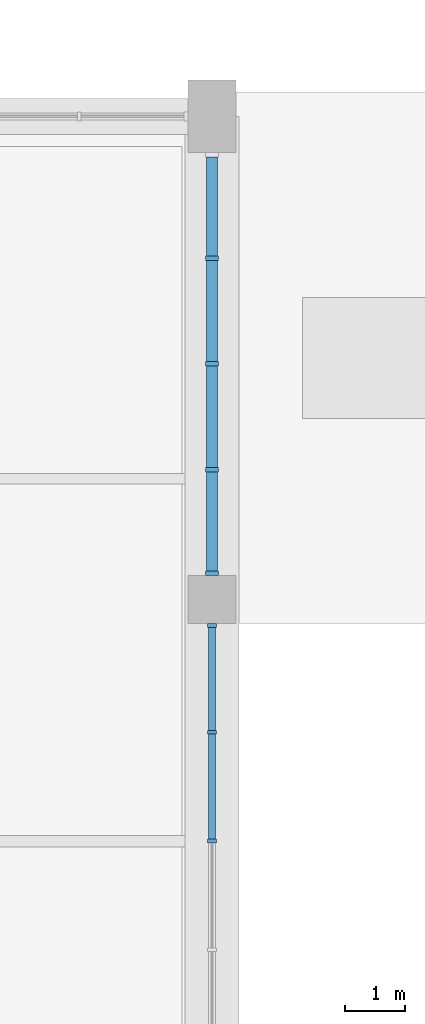
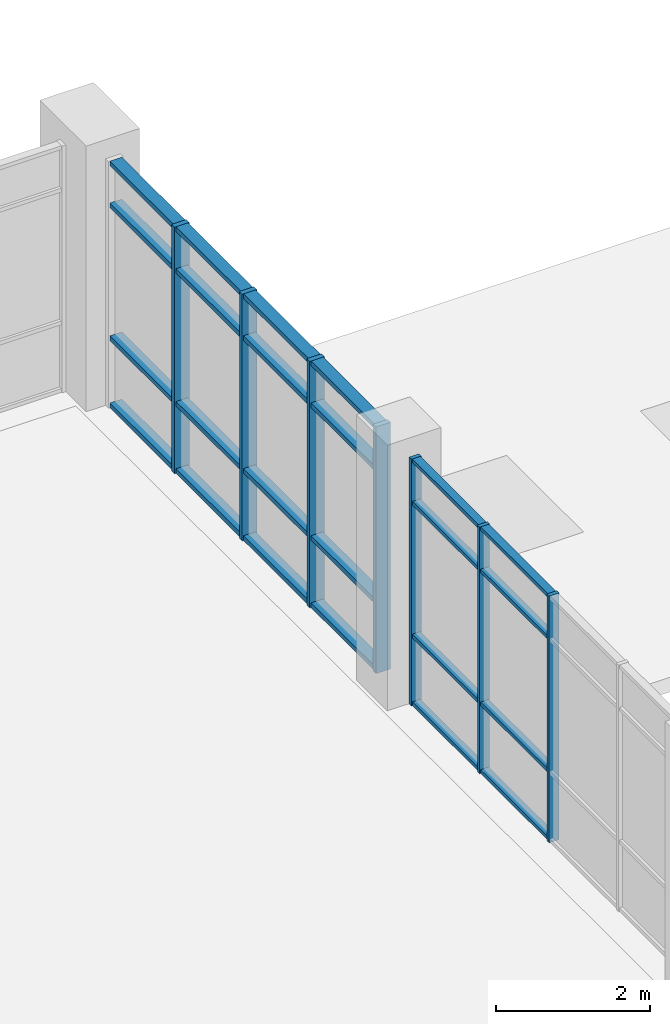
# One storey, part 9 of 84: 31 members, 2 elements without a shape of their own.
"""IFC4 building model written with IfcOpenShell, lengths in metres."""

from ifc_helpers import new_model, si_unit, direction, frame, origin, origin_2d, place, context, subcontext, project, spatial, rectangle, extrude, material, material_profile, profile_set, type_object, element, aggregate, save


model = new_model("IFC4")

# Units and contexts
model_context = context("Model", 3, precision=1e-05, world=origin(), true_north=direction((0.0, 1.0)))
body_context = subcontext(model_context, "Body", "Model", "MODEL_VIEW")
ifc_project = project(units=[si_unit("LENGTHUNIT", "METRE"), si_unit("AREAUNIT", "SQUARE_METRE"), si_unit("VOLUMEUNIT", "CUBIC_METRE"), si_unit("PLANEANGLEUNIT", "RADIAN"), si_unit("MASSUNIT", "GRAM", prefix="KILO")], contexts=[model_context])

# Site, building, storey
site_placement = place(None, origin())
site = spatial("IfcSite", under=ifc_project, at=site_placement, CompositionType="ELEMENT")
building_placement = place(site_placement, origin())
building = spatial("IfcBuilding", under=site, at=building_placement, Name="Tenunan Teduh Sports Hall", CompositionType="ELEMENT")
storey_placement = place(building_placement, frame((0.0, 0.0, 10.800048828125)))
storey = spatial("IfcBuildingStorey", under=building, at=storey_placement, Name="L02", CompositionType="ELEMENT", Elevation=10.800048828125)

# Curtain wall, members
ifc_material_1 = material(Name="Anodised aluminium", Category="aluminium")
curtain_wall_type = type_object("IfcCurtainWallType", Name="CW-UNIT-2", PredefinedType="NOTDEFINED", material=ifc_material_1)
curtain_wall_1_placement = place(storey_placement, origin())
curtain_wall_1 = element("IfcCurtainWall", 1, at=curtain_wall_1_placement, inside=storey, type_object=curtain_wall_type, Name="CW-CWM-150-L02-071", PredefinedType="NOTDEFINED")
ifc_material_2 = material(Name="Anodised aluminium", Category="aluminium")
ifc_material_profile_1 = material_profile(ifc_material_2, rectangle(XDim=0.06005859375, YDim=0.14990234375, at=origin_2d()), Name="CWM 60x150")
ifc_profile_set_1 = profile_set([ifc_material_profile_1], Name="Anodised aluminium")
member_type_1 = type_object("IfcMemberType", Name="CWM-150", PredefinedType="MULLION", material=ifc_profile_set_1)
member_1_placement = place(storey_placement, frame((54.0, 34.0, 0.0), z_axis=(0.0, 0.0, 1.0), x_axis=(0.0, 1.0, 0.0)))
member_1 = element("IfcMember", 2, at=member_1_placement, type_object=member_type_1, Name="CW-02 mullion 3", PredefinedType="MULLION", context=body_context, shape_type="SweptSolid", body=[
    extrude(rectangle(XDim=0.06005859375, YDim=0.14990234375, at=origin_2d()), origin(), (0.0, 0.0, 1.0), 3.89990234375),
])
member_2_placement = place(storey_placement, frame((54.0, 35.800048828125, 0.0), z_axis=(0.0, 0.0, 1.0), x_axis=(0.0, 1.0, 0.0)))
member_2 = element("IfcMember", 3, at=member_2_placement, type_object=member_type_1, Name="CW-02 mullion 4", PredefinedType="MULLION", context=body_context, shape_type="SweptSolid", body=[
    extrude(rectangle(XDim=0.06005859375, YDim=0.14990234375, at=origin_2d()), origin(), (0.0, 0.0, 1.0), 3.89990234375),
])
member_3_placement = place(storey_placement, frame((54.0, 37.570068359375, 0.0), z_axis=(0.0, 0.0, 1.0), x_axis=(0.0, 1.0, 0.0)))
member_3 = element("IfcMember", 4, at=member_3_placement, type_object=member_type_1, Name="CW-02 mullion 5", PredefinedType="MULLION", context=body_context, shape_type="SweptSolid", body=[
    extrude(rectangle(XDim=0.06005859375, YDim=0.14990234375, at=origin_2d()), origin(), (0.0, 0.0, 1.0), 3.89990234375),
])

curtain_wall_2_placement = place(storey_placement, origin())
curtain_wall_2 = element("IfcCurtainWall", 5, at=curtain_wall_2_placement, inside=storey, type_object=curtain_wall_type, Name="CW-CWM-220-L02-073", PredefinedType="NOTDEFINED")
ifc_material_3 = material(Name="Anodised aluminium", Category="aluminium")
ifc_material_profile_2 = material_profile(ifc_material_3, rectangle(XDim=0.074951171875, YDim=0.219970703125, at=origin_2d()), Name="CWM 75x220")
ifc_profile_set_2 = profile_set([ifc_material_profile_2], Name="Anodised aluminium")
member_type_2 = type_object("IfcMemberType", Name="CWM-220", PredefinedType="MULLION", material=ifc_profile_set_2)
member_4_placement = place(storey_placement, frame((54.0, 38.4375, 0.0), z_axis=(0.0, 0.0, 1.0), x_axis=(0.0, 1.0, 0.0)))
member_4 = element("IfcMember", 6, at=member_4_placement, type_object=member_type_2, Name="CW-02 mullion 1", PredefinedType="MULLION", context=body_context, shape_type="SweptSolid", body=[
    extrude(rectangle(XDim=0.074951171875, YDim=0.219970703125, at=origin_2d()), origin(), (0.0, 0.0, 1.0), 3.89990234375),
])
member_5_placement = place(storey_placement, frame((54.0, 40.14990234375, 0.0), z_axis=(0.0, 0.0, 1.0), x_axis=(0.0, 1.0, 0.0)))
member_5 = element("IfcMember", 7, at=member_5_placement, type_object=member_type_2, Name="CW-02 mullion 2", PredefinedType="MULLION", context=body_context, shape_type="SweptSolid", body=[
    extrude(rectangle(XDim=0.074951171875, YDim=0.219970703125, at=origin_2d()), origin(), (0.0, 0.0, 1.0), 3.89990234375),
])
member_6_placement = place(storey_placement, frame((54.0, 41.89990234375, 0.0), z_axis=(0.0, 0.0, 1.0), x_axis=(0.0, 1.0, 0.0)))
member_6 = element("IfcMember", 8, at=member_6_placement, type_object=member_type_2, Name="CW-02 mullion 3", PredefinedType="MULLION", context=body_context, shape_type="SweptSolid", body=[
    extrude(rectangle(XDim=0.074951171875, YDim=0.219970703125, at=origin_2d()), origin(), (0.0, 0.0, 1.0), 3.89990234375),
])
member_7_placement = place(storey_placement, frame((54.0, 43.64990234375, 0.0), z_axis=(0.0, 0.0, 1.0), x_axis=(0.0, 1.0, 0.0)))
member_7 = element("IfcMember", 9, at=member_7_placement, type_object=member_type_2, Name="CW-02 mullion 4", PredefinedType="MULLION", context=body_context, shape_type="SweptSolid", body=[
    extrude(rectangle(XDim=0.074951171875, YDim=0.219970703125, at=origin_2d()), origin(), (0.0, 0.0, 1.0), 3.89990234375),
])

# Member
ifc_material_4 = material(Name="Anodised aluminium", Category="aluminium")
ifc_material_profile_3 = material_profile(ifc_material_4, rectangle(XDim=0.06005859375, YDim=0.1201171875, at=origin_2d()), Name="CWT 60x120")
ifc_profile_set_3 = profile_set([ifc_material_profile_3], Name="Anodised aluminium")
member_type_3 = type_object("IfcMemberType", Name="CWT-125", PredefinedType="USERDEFINED", material=ifc_profile_set_3)
member_8_placement = place(storey_placement, frame((54.0, 34.030029296875, 0.030029296875), z_axis=(0.0, 1.0, 0.0), x_axis=(0.0, 0.0, 1.0)))
member_8 = element("IfcMember", 10, at=member_8_placement, type_object=member_type_3, Name="CW-02 transom 3.1", ObjectType="TRANSOM", PredefinedType="USERDEFINED", context=body_context, shape_type="SweptSolid", body=[
    extrude(rectangle(XDim=0.06005859375, YDim=0.1201171875, at=origin_2d()), origin(), (0.0, 0.0, 1.0), 1.739990234375),
])

member_9_placement = place(storey_placement, frame((54.0, 34.030029296875, 1.099853515625), z_axis=(0.0, 1.0, 0.0), x_axis=(0.0, 0.0, 1.0)))
member_9 = element("IfcMember", 11, at=member_9_placement, type_object=member_type_3, Name="CW-02 transom 3.2", ObjectType="TRANSOM", PredefinedType="USERDEFINED", context=body_context, shape_type="SweptSolid", body=[
    extrude(rectangle(XDim=0.06005859375, YDim=0.1201171875, at=origin_2d()), origin(), (0.0, 0.0, 1.0), 1.739990234375),
])

member_10_placement = place(storey_placement, frame((54.0, 34.030029296875, 3.199951171875), z_axis=(0.0, 1.0, 0.0), x_axis=(0.0, 0.0, 1.0)))
member_10 = element("IfcMember", 12, at=member_10_placement, type_object=member_type_3, Name="CW-02 transom 3.3", ObjectType="TRANSOM", PredefinedType="USERDEFINED", context=body_context, shape_type="SweptSolid", body=[
    extrude(rectangle(XDim=0.06005859375, YDim=0.1201171875, at=origin_2d()), origin(), (0.0, 0.0, 1.0), 1.739990234375),
])

member_11_placement = place(storey_placement, frame((54.0, 34.030029296875, 3.869873046875), z_axis=(0.0, 1.0, 0.0), x_axis=(0.0, 0.0, 1.0)))
member_11 = element("IfcMember", 13, at=member_11_placement, type_object=member_type_3, Name="CW-02 transom 3.4", ObjectType="TRANSOM", PredefinedType="USERDEFINED", context=body_context, shape_type="SweptSolid", body=[
    extrude(rectangle(XDim=0.06005859375, YDim=0.1201171875, at=origin_2d()), origin(), (0.0, 0.0, 1.0), 1.739990234375),
])

member_12_placement = place(storey_placement, frame((54.0, 35.830078125, 0.030029296875), z_axis=(0.0, 1.0, 0.0), x_axis=(0.0, 0.0, 1.0)))
member_12 = element("IfcMember", 14, at=member_12_placement, type_object=member_type_3, Name="CW-02 transom 4.1", ObjectType="TRANSOM", PredefinedType="USERDEFINED", context=body_context, shape_type="SweptSolid", body=[
    extrude(rectangle(XDim=0.06005859375, YDim=0.1201171875, at=origin_2d()), origin(), (0.0, 0.0, 1.0), 1.7099609375),
])

member_13_placement = place(storey_placement, frame((54.0, 35.830078125, 1.099853515625), z_axis=(0.0, 1.0, 0.0), x_axis=(0.0, 0.0, 1.0)))
member_13 = element("IfcMember", 15, at=member_13_placement, type_object=member_type_3, Name="CW-02 transom 4.2", ObjectType="TRANSOM", PredefinedType="USERDEFINED", context=body_context, shape_type="SweptSolid", body=[
    extrude(rectangle(XDim=0.06005859375, YDim=0.1201171875, at=origin_2d()), origin(), (0.0, 0.0, 1.0), 1.7099609375),
])

member_14_placement = place(storey_placement, frame((54.0, 35.830078125, 3.199951171875), z_axis=(0.0, 1.0, 0.0), x_axis=(0.0, 0.0, 1.0)))
member_14 = element("IfcMember", 16, at=member_14_placement, type_object=member_type_3, Name="CW-02 transom 4.3", ObjectType="TRANSOM", PredefinedType="USERDEFINED", context=body_context, shape_type="SweptSolid", body=[
    extrude(rectangle(XDim=0.06005859375, YDim=0.1201171875, at=origin_2d()), origin(), (0.0, 0.0, 1.0), 1.7099609375),
])

member_15_placement = place(storey_placement, frame((54.0, 35.830078125, 3.869873046875), z_axis=(0.0, 1.0, 0.0), x_axis=(0.0, 0.0, 1.0)))
member_15 = element("IfcMember", 17, at=member_15_placement, type_object=member_type_3, Name="CW-02 transom 4.4", ObjectType="TRANSOM", PredefinedType="USERDEFINED", context=body_context, shape_type="SweptSolid", body=[
    extrude(rectangle(XDim=0.06005859375, YDim=0.1201171875, at=origin_2d()), origin(), (0.0, 0.0, 1.0), 1.7099609375),
])

aggregate(curtain_wall_1, [member_1, member_2, member_3, member_8, member_9, member_10, member_11, member_12, member_13, member_14, member_15])

ifc_material_5 = material(Name="Anodised aluminium", Category="aluminium")
ifc_material_profile_4 = material_profile(ifc_material_5, rectangle(XDim=0.074951171875, YDim=0.179931640625, at=origin_2d()), Name="CWT 75x180")
ifc_profile_set_4 = profile_set([ifc_material_profile_4], Name="Anodised aluminium")
member_type_4 = type_object("IfcMemberType", Name="CWT-180", PredefinedType="USERDEFINED", material=ifc_profile_set_4)
member_16_placement = place(storey_placement, frame((54.0, 38.47509765625, 0.037353515625), z_axis=(0.0, 1.0, 0.0), x_axis=(0.0, 0.0, 1.0)))
member_16 = element("IfcMember", 18, at=member_16_placement, type_object=member_type_4, Name="CW-02 transom 1.1", ObjectType="TRANSOM", PredefinedType="USERDEFINED", context=body_context, shape_type="SweptSolid", body=[
    extrude(rectangle(XDim=0.074951171875, YDim=0.179931640625, at=origin_2d()), origin(), (0.0, 0.0, 1.0), 1.637451171875),
])

member_17_placement = place(storey_placement, frame((54.0, 38.47509765625, 1.099853515625), z_axis=(0.0, 1.0, 0.0), x_axis=(0.0, 0.0, 1.0)))
member_17 = element("IfcMember", 19, at=member_17_placement, type_object=member_type_4, Name="CW-02 transom 1.2", ObjectType="TRANSOM", PredefinedType="USERDEFINED", context=body_context, shape_type="SweptSolid", body=[
    extrude(rectangle(XDim=0.074951171875, YDim=0.179931640625, at=origin_2d()), origin(), (0.0, 0.0, 1.0), 1.637451171875),
])

member_18_placement = place(storey_placement, frame((54.0, 38.47509765625, 3.199951171875), z_axis=(0.0, 1.0, 0.0), x_axis=(0.0, 0.0, 1.0)))
member_18 = element("IfcMember", 20, at=member_18_placement, type_object=member_type_4, Name="CW-02 transom 1.3", ObjectType="TRANSOM", PredefinedType="USERDEFINED", context=body_context, shape_type="SweptSolid", body=[
    extrude(rectangle(XDim=0.074951171875, YDim=0.179931640625, at=origin_2d()), origin(), (0.0, 0.0, 1.0), 1.637451171875),
])

member_19_placement = place(storey_placement, frame((54.0, 38.47509765625, 3.862548828125), z_axis=(0.0, 1.0, 0.0), x_axis=(0.0, 0.0, 1.0)))
member_19 = element("IfcMember", 21, at=member_19_placement, type_object=member_type_4, Name="CW-02 transom 1.4", ObjectType="TRANSOM", PredefinedType="USERDEFINED", context=body_context, shape_type="SweptSolid", body=[
    extrude(rectangle(XDim=0.074951171875, YDim=0.179931640625, at=origin_2d()), origin(), (0.0, 0.0, 1.0), 1.637451171875),
])

member_20_placement = place(storey_placement, frame((54.0, 40.1875, 0.037353515625), z_axis=(0.0, 1.0, 0.0), x_axis=(0.0, 0.0, 1.0)))
member_20 = element("IfcMember", 22, at=member_20_placement, type_object=member_type_4, Name="CW-02 transom 2.1", ObjectType="TRANSOM", PredefinedType="USERDEFINED", context=body_context, shape_type="SweptSolid", body=[
    extrude(rectangle(XDim=0.074951171875, YDim=0.179931640625, at=origin_2d()), origin(), (0.0, 0.0, 1.0), 1.675048828125),
])

member_21_placement = place(storey_placement, frame((54.0, 40.1875, 1.099853515625), z_axis=(0.0, 1.0, 0.0), x_axis=(0.0, 0.0, 1.0)))
member_21 = element("IfcMember", 23, at=member_21_placement, type_object=member_type_4, Name="CW-02 transom 2.2", ObjectType="TRANSOM", PredefinedType="USERDEFINED", context=body_context, shape_type="SweptSolid", body=[
    extrude(rectangle(XDim=0.074951171875, YDim=0.179931640625, at=origin_2d()), origin(), (0.0, 0.0, 1.0), 1.675048828125),
])

member_22_placement = place(storey_placement, frame((54.0, 40.1875, 3.199951171875), z_axis=(0.0, 1.0, 0.0), x_axis=(0.0, 0.0, 1.0)))
member_22 = element("IfcMember", 24, at=member_22_placement, type_object=member_type_4, Name="CW-02 transom 2.3", ObjectType="TRANSOM", PredefinedType="USERDEFINED", context=body_context, shape_type="SweptSolid", body=[
    extrude(rectangle(XDim=0.074951171875, YDim=0.179931640625, at=origin_2d()), origin(), (0.0, 0.0, 1.0), 1.675048828125),
])

member_23_placement = place(storey_placement, frame((54.0, 40.1875, 3.862548828125), z_axis=(0.0, 1.0, 0.0), x_axis=(0.0, 0.0, 1.0)))
member_23 = element("IfcMember", 25, at=member_23_placement, type_object=member_type_4, Name="CW-02 transom 2.4", ObjectType="TRANSOM", PredefinedType="USERDEFINED", context=body_context, shape_type="SweptSolid", body=[
    extrude(rectangle(XDim=0.074951171875, YDim=0.179931640625, at=origin_2d()), origin(), (0.0, 0.0, 1.0), 1.675048828125),
])

member_24_placement = place(storey_placement, frame((54.0, 41.9375, 0.037353515625), z_axis=(0.0, 1.0, 0.0), x_axis=(0.0, 0.0, 1.0)))
member_24 = element("IfcMember", 26, at=member_24_placement, type_object=member_type_4, Name="CW-02 transom 3.1", ObjectType="TRANSOM", PredefinedType="USERDEFINED", context=body_context, shape_type="SweptSolid", body=[
    extrude(rectangle(XDim=0.074951171875, YDim=0.179931640625, at=origin_2d()), origin(), (0.0, 0.0, 1.0), 1.675048828125),
])

member_25_placement = place(storey_placement, frame((54.0, 41.9375, 1.099853515625), z_axis=(0.0, 1.0, 0.0), x_axis=(0.0, 0.0, 1.0)))
member_25 = element("IfcMember", 27, at=member_25_placement, type_object=member_type_4, Name="CW-02 transom 3.2", ObjectType="TRANSOM", PredefinedType="USERDEFINED", context=body_context, shape_type="SweptSolid", body=[
    extrude(rectangle(XDim=0.074951171875, YDim=0.179931640625, at=origin_2d()), origin(), (0.0, 0.0, 1.0), 1.675048828125),
])

member_26_placement = place(storey_placement, frame((54.0, 41.9375, 3.199951171875), z_axis=(0.0, 1.0, 0.0), x_axis=(0.0, 0.0, 1.0)))
member_26 = element("IfcMember", 28, at=member_26_placement, type_object=member_type_4, Name="CW-02 transom 3.3", ObjectType="TRANSOM", PredefinedType="USERDEFINED", context=body_context, shape_type="SweptSolid", body=[
    extrude(rectangle(XDim=0.074951171875, YDim=0.179931640625, at=origin_2d()), origin(), (0.0, 0.0, 1.0), 1.675048828125),
])

member_27_placement = place(storey_placement, frame((54.0, 41.9375, 3.862548828125), z_axis=(0.0, 1.0, 0.0), x_axis=(0.0, 0.0, 1.0)))
member_27 = element("IfcMember", 29, at=member_27_placement, type_object=member_type_4, Name="CW-02 transom 3.4", ObjectType="TRANSOM", PredefinedType="USERDEFINED", context=body_context, shape_type="SweptSolid", body=[
    extrude(rectangle(XDim=0.074951171875, YDim=0.179931640625, at=origin_2d()), origin(), (0.0, 0.0, 1.0), 1.675048828125),
])

member_28_placement = place(storey_placement, frame((54.0, 43.6875, 0.037353515625), z_axis=(0.0, 1.0, 0.0), x_axis=(0.0, 0.0, 1.0)))
member_28 = element("IfcMember", 30, at=member_28_placement, type_object=member_type_4, Name="CW-02 transom 4.1", ObjectType="TRANSOM", PredefinedType="USERDEFINED", context=body_context, shape_type="SweptSolid", body=[
    extrude(rectangle(XDim=0.074951171875, YDim=0.179931640625, at=origin_2d()), origin(), (0.0, 0.0, 1.0), 1.637451171875),
])

member_29_placement = place(storey_placement, frame((54.0, 43.6875, 1.099853515625), z_axis=(0.0, 1.0, 0.0), x_axis=(0.0, 0.0, 1.0)))
member_29 = element("IfcMember", 31, at=member_29_placement, type_object=member_type_4, Name="CW-02 transom 4.2", ObjectType="TRANSOM", PredefinedType="USERDEFINED", context=body_context, shape_type="SweptSolid", body=[
    extrude(rectangle(XDim=0.074951171875, YDim=0.179931640625, at=origin_2d()), origin(), (0.0, 0.0, 1.0), 1.637451171875),
])

member_30_placement = place(storey_placement, frame((54.0, 43.6875, 3.199951171875), z_axis=(0.0, 1.0, 0.0), x_axis=(0.0, 0.0, 1.0)))
member_30 = element("IfcMember", 32, at=member_30_placement, type_object=member_type_4, Name="CW-02 transom 4.3", ObjectType="TRANSOM", PredefinedType="USERDEFINED", context=body_context, shape_type="SweptSolid", body=[
    extrude(rectangle(XDim=0.074951171875, YDim=0.179931640625, at=origin_2d()), origin(), (0.0, 0.0, 1.0), 1.637451171875),
])

member_31_placement = place(storey_placement, frame((54.0, 43.6875, 3.862548828125), z_axis=(0.0, 1.0, 0.0), x_axis=(0.0, 0.0, 1.0)))
member_31 = element("IfcMember", 33, at=member_31_placement, type_object=member_type_4, Name="CW-02 transom 4.4", ObjectType="TRANSOM", PredefinedType="USERDEFINED", context=body_context, shape_type="SweptSolid", body=[
    extrude(rectangle(XDim=0.074951171875, YDim=0.179931640625, at=origin_2d()), origin(), (0.0, 0.0, 1.0), 1.637451171875),
])

aggregate(curtain_wall_2, [member_4, member_5, member_6, member_7, member_16, member_17, member_18, member_19, member_20, member_21, member_22, member_23, member_24, member_25, member_26, member_27, member_28, member_29, member_30, member_31])

save(model, "model.ifc")
